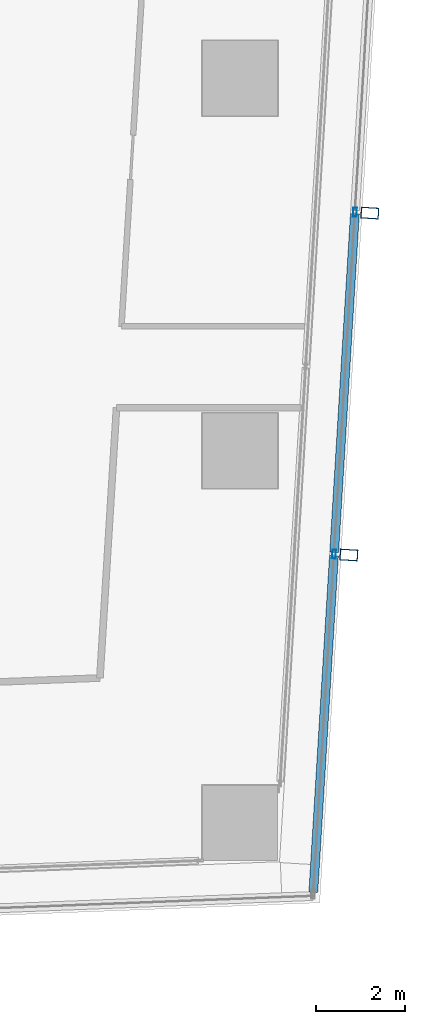
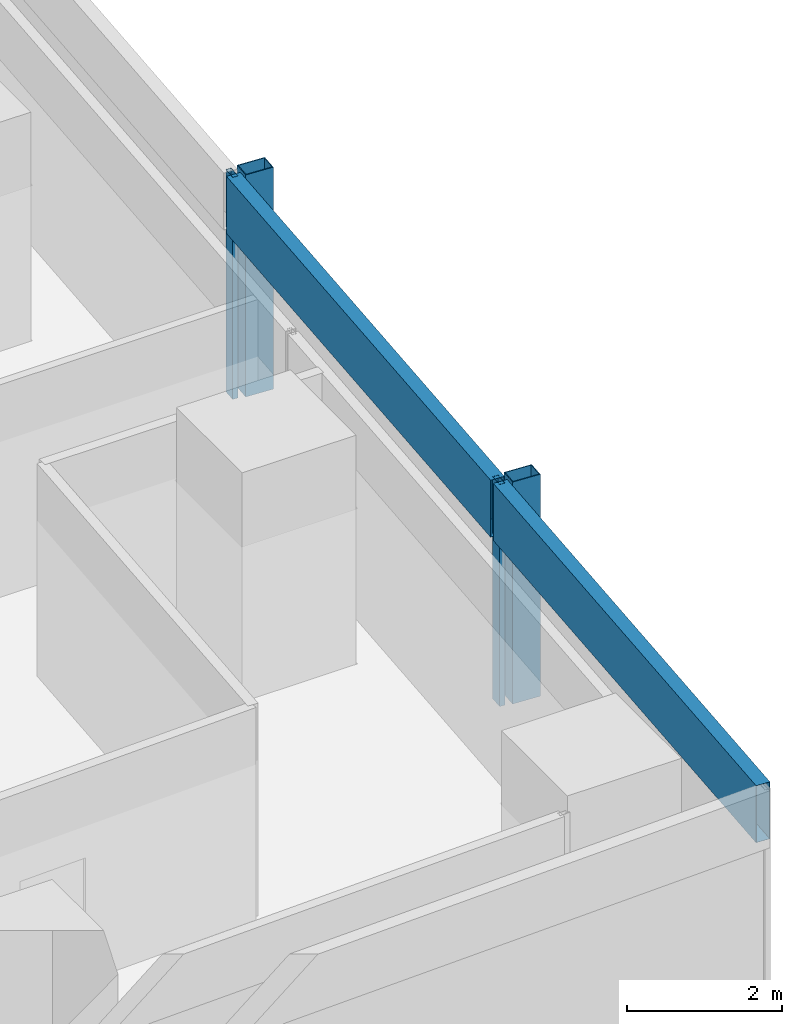
# One storey, part 23 of 40: 6 members, 1 element without a shape of its own.
"""IFC4 building model written with IfcOpenShell, lengths in metres."""

from ifc_helpers import new_model, si_unit, direction, frame, origin, origin_2d, place, context, subcontext, project, spatial, hollow_rectangle, extrude, material, material_profile, profile_set, type_object, element, aggregate, save


model = new_model("IFC4")

# Units and contexts
model_context = context("Model", 3, precision=1e-05, world=origin(), true_north=direction((0.0, 1.0)))
body_context = subcontext(model_context, "Body", "Model", "MODEL_VIEW")
ifc_project = project(units=[si_unit("LENGTHUNIT", "METRE"), si_unit("AREAUNIT", "SQUARE_METRE"), si_unit("VOLUMEUNIT", "CUBIC_METRE"), si_unit("PLANEANGLEUNIT", "RADIAN"), si_unit("MASSUNIT", "GRAM", prefix="KILO")], contexts=[model_context])

# Site, building, storey
site_placement = place(None, origin())
site = spatial("IfcSite", under=ifc_project, at=site_placement, CompositionType="ELEMENT")
building_placement = place(site_placement, origin())
building = spatial("IfcBuilding", under=site, at=building_placement, Name="Rekha Terrace Tower", CompositionType="ELEMENT")
storey_placement = place(building_placement, frame((0.0, 0.0, 125.300048828125)))
storey = spatial("IfcBuildingStorey", under=building, at=storey_placement, Name="L31", CompositionType="ELEMENT", Elevation=125.300048828125)

# Curtain wall, members
ifc_material_1 = material(Name="Aluminium framing", Category="aluminium")
curtain_wall_type = type_object("IfcCurtainWallType", Name="CW2 double skin outer glazing", PredefinedType="USERDEFINED", material=ifc_material_1)
curtain_wall_placement = place(storey_placement, origin())
curtain_wall = element("IfcCurtainWall", 1, at=curtain_wall_placement, inside=storey, type_object=curtain_wall_type, Name="CW2 double skin outer glazing", ObjectType="DOUBLE SKIN OUTER GLAZING", PredefinedType="USERDEFINED")
ifc_material_2 = material(Name="Steel S355 with fluorocarbon finish", Category="steel")
ifc_material_profile_1 = material_profile(ifc_material_2, hollow_rectangle(XDim=0.25, YDim=0.39990234375, WallThickness=0.012451171875, at=origin_2d()), Name="RHS400x250x12.5")
ifc_profile_set_1 = profile_set([ifc_material_profile_1], Name="Steel S355 with fluorocarbon finish")
member_type_1 = type_object("IfcMemberType", Name="BL1 facade blade RHS 400 x 250", PredefinedType="USERDEFINED", material=ifc_profile_set_1)
member_1_placement = place(storey_placement, frame((69.656005859375, 22.845703125, 0.0), z_axis=(0.0, 0.0, 1.0), x_axis=(0.061160031881, 0.998127973008, 0.0)))
member_1 = element("IfcMember", 2, at=member_1_placement, type_object=member_type_1, Name="Facade blade", ObjectType="FACADE BLADE", PredefinedType="USERDEFINED", context=body_context, shape_type="SweptSolid", body=[
    extrude(hollow_rectangle(XDim=0.25, YDim=0.39990234375, WallThickness=0.012451171875, at=origin_2d()), origin(), (0.0, 0.0, 1.0), 3.5),
])
member_2_placement = place(storey_placement, frame((70.128662109375, 30.557861328125, 0.0), z_axis=(0.0, 0.0, 1.0), x_axis=(0.061160031881, 0.998127973008, 0.0)))
member_2 = element("IfcMember", 3, at=member_2_placement, type_object=member_type_1, Name="Facade blade", ObjectType="FACADE BLADE", PredefinedType="USERDEFINED", context=body_context, shape_type="SweptSolid", body=[
    extrude(hollow_rectangle(XDim=0.25, YDim=0.39990234375, WallThickness=0.012451171875, at=origin_2d()), origin(), (0.0, 0.0, 1.0), 3.5),
])
ifc_material_3 = material(Name="Aluminium mullion section", Category="aluminium")
ifc_material_profile_2 = material_profile(ifc_material_3, hollow_rectangle(XDim=0.080078125, YDim=0.199951171875, WallThickness=0.00390625, at=origin_2d()), Name="AL RHS 80x200")
ifc_profile_set_2 = profile_set([ifc_material_profile_2], Name="Aluminium mullion section")
member_type_2 = type_object("IfcMemberType", Name="CW2 mullion RHS 80 x 200", PredefinedType="MULLION", material=ifc_profile_set_2)
member_3_placement = place(storey_placement, frame((69.32177734375, 22.8662109375, 0.0), z_axis=(0.0, 0.0, 1.0), x_axis=(-0.998127987024, 0.061159803131, 0.0)))
member_3 = element("IfcMember", 4, at=member_3_placement, type_object=member_type_2, Name="CW2 mullion 2", PredefinedType="MULLION", context=body_context, shape_type="SweptSolid", body=[
    extrude(hollow_rectangle(XDim=0.080078125, YDim=0.199951171875, WallThickness=0.00390625, at=origin_2d()), origin(), (0.0, 0.0, 1.0), 3.5),
])
member_4_placement = place(storey_placement, frame((69.794189453125, 30.578369140625, 0.0), z_axis=(0.0, 0.0, 1.0), x_axis=(-0.998127987024, 0.061159803131, 0.0)))
member_4 = element("IfcMember", 5, at=member_4_placement, type_object=member_type_2, Name="CW2 mullion 3", PredefinedType="MULLION", context=body_context, shape_type="SweptSolid", body=[
    extrude(hollow_rectangle(XDim=0.080078125, YDim=0.199951171875, WallThickness=0.00390625, at=origin_2d()), origin(), (0.0, 0.0, 1.0), 3.5),
])
ifc_material_4 = material(Name="Insulated aluminium spandrel box", Category="aluminium")
ifc_material_profile_3 = material_profile(ifc_material_4, hollow_rectangle(XDim=0.199951171875, YDim=0.89990234375, WallThickness=0.0029296875, at=origin_2d()), Name="AL SPANDREL BOX 200x900")
ifc_profile_set_3 = profile_set([ifc_material_profile_3], Name="Insulated aluminium spandrel box")
member_type_3 = type_object("IfcMemberType", Name="CW2 spandrel transom 200 x 900", PredefinedType="USERDEFINED", material=ifc_profile_set_3)
member_5_placement = place(storey_placement, frame((68.85400390625, 15.234130859375, 3.050048828125), z_axis=(0.061175320944, 0.998127036057, 0.0), x_axis=(-0.998127036057, 0.061175320944, 0.0)))
member_5 = element("IfcMember", 6, at=member_5_placement, type_object=member_type_3, Name="CW2 spandrel transom 1", ObjectType="TRANSOM", PredefinedType="USERDEFINED", context=body_context, shape_type="SweptSolid", body=[
    extrude(hollow_rectangle(XDim=0.199951171875, YDim=0.89990234375, WallThickness=0.0029296875, at=origin_2d()), origin(), (0.0, 0.0, 1.0), 7.6064453125),
])
member_6_placement = place(storey_placement, frame((69.32421875, 22.90625, 3.050048828125), z_axis=(0.061141871886, 0.998129085591, 0.0), x_axis=(-0.998129085591, 0.061141871886, 0.0)))
member_6 = element("IfcMember", 7, at=member_6_placement, type_object=member_type_3, Name="CW2 spandrel transom 2", ObjectType="TRANSOM", PredefinedType="USERDEFINED", context=body_context, shape_type="SweptSolid", body=[
    extrude(hollow_rectangle(XDim=0.199951171875, YDim=0.89990234375, WallThickness=0.0029296875, at=origin_2d()), origin(), (0.0, 0.0, 1.0), 7.646728515625),
])
aggregate(curtain_wall, [member_3, member_4, member_5, member_6, member_1, member_2])

save(model, "model.ifc")
